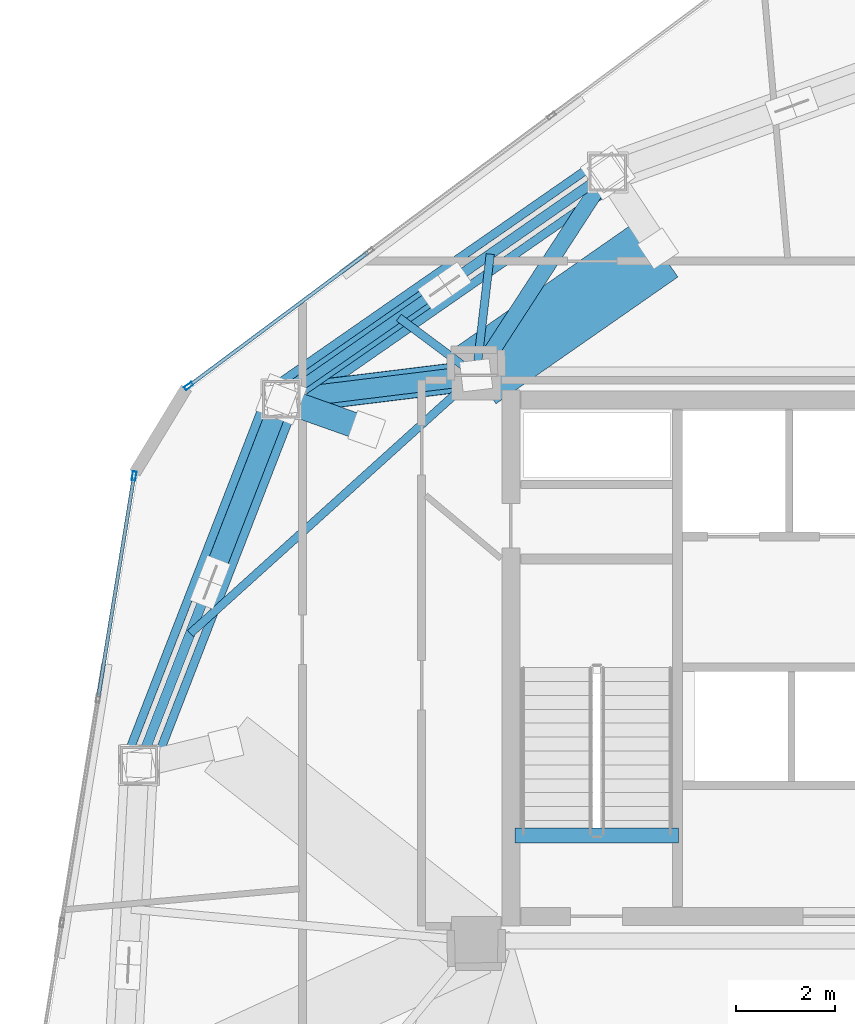
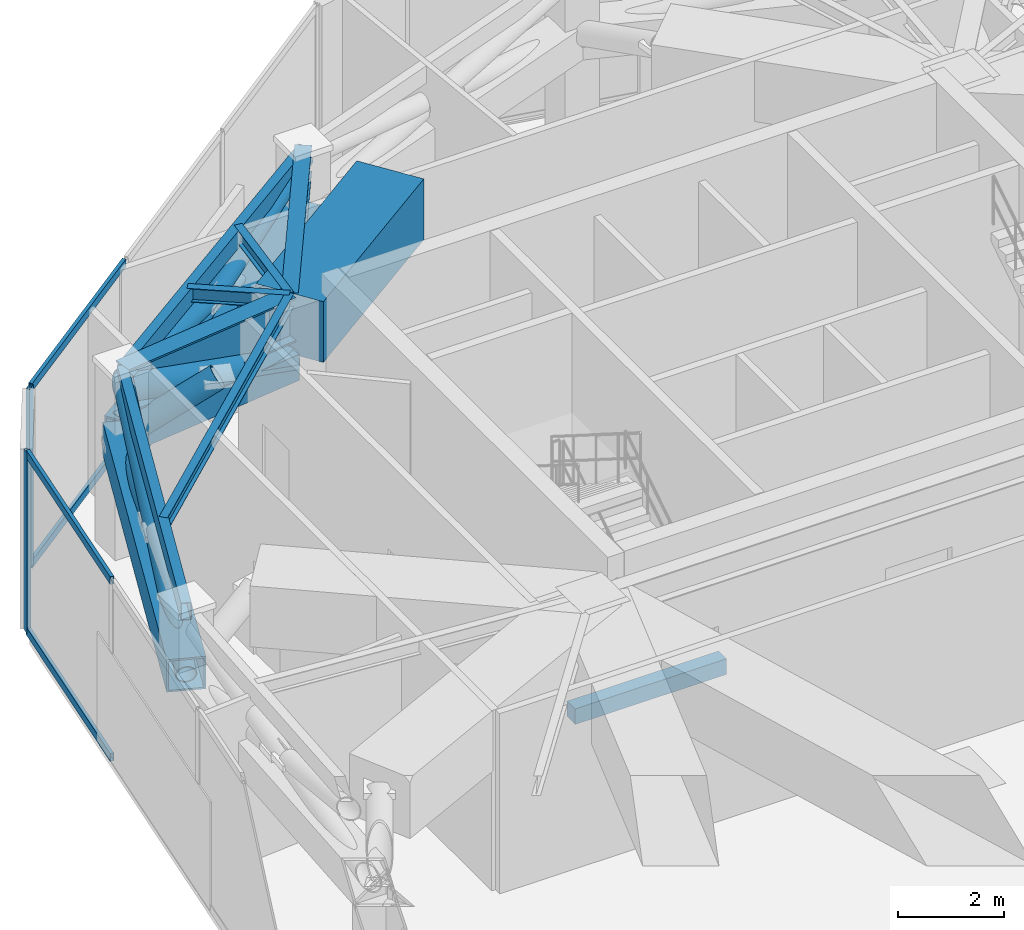
# One storey, part 7 of 19: 15 members, 9 beams, 2 elements without a shape of their own.
"""IFC4 building model written with IfcOpenShell, lengths in metres."""

from ifc_helpers import new_model, si_unit, direction, frame, origin, origin_2d, place, context, subcontext, project, spatial, rectangle, hollow_rectangle, hollow_circle, i_section, extrude, source, transform, mapped, material, layer, layer_set, material_profile, profile_set, type_object, type_shapes, element, aggregate, save


model = new_model("IFC4")

# Units and contexts
model_context = context("Model", 3, precision=1e-05, world=origin(), true_north=direction((0.0, 1.0)))
body_context = subcontext(model_context, "Body", "Model", "MODEL_VIEW")
ifc_project = project(units=[si_unit("LENGTHUNIT", "METRE"), si_unit("AREAUNIT", "SQUARE_METRE"), si_unit("VOLUMEUNIT", "CUBIC_METRE"), si_unit("PLANEANGLEUNIT", "RADIAN"), si_unit("MASSUNIT", "GRAM", prefix="KILO")], contexts=[model_context])

# Site, building, storey
site_placement = place(None, origin())
site = spatial("IfcSite", under=ifc_project, at=site_placement, CompositionType="ELEMENT")
building_placement = place(site_placement, origin())
building = spatial("IfcBuilding", under=site, at=building_placement, Name="Talar Marvaseh", CompositionType="ELEMENT")
storey_placement = place(building_placement, frame((0.0, 0.0, 236.199951171875)))
storey = spatial("IfcBuildingStorey", under=building, at=storey_placement, Name="L62", CompositionType="ELEMENT", Elevation=236.199951171875)

# Beams
ifc_material_1 = material(Name="Concrete C40/50", Category="concrete")
ifc_material_profile_1 = material_profile(ifc_material_1, rectangle(XDim=0.300048828125, YDim=0.360107421875, at=origin_2d()), Name="RC300x360")
ifc_profile_set_1 = profile_set([ifc_material_profile_1], Name="Concrete C40/50")
beam_type_1 = type_object("IfcBeamType", Name="Concrete Stair Landing Trimmer Beam RC300x360", PredefinedType="SPANDREL", material=ifc_profile_set_1)
beam_1_placement = place(storey_placement, frame((22.780029296875, 27.6298828125, -0.179931640625), z_axis=(-1.0, 0.0, 0.0), x_axis=(0.0, -1.0, 0.0)))
element("IfcBeam", 1, at=beam_1_placement, inside=storey, type_object=beam_type_1, Name="L62 ST-1 Stair Nosing Trimmer Beam", PredefinedType="SPANDREL", context=body_context, shape_type="SweptSolid", body=[
    extrude(rectangle(XDim=0.300048828125, YDim=0.360107421875, at=origin_2d()), origin(), (0.0, 0.0, 1.0), 3.300048828125),
])
ifc_material_2 = material(Name="Steel S460", Category="steel")
ifc_material_profile_2 = material_profile(ifc_material_2, i_section(OverallWidth=0.39990234375, OverallDepth=1.02099609375, WebThickness=0.02294921875, FlangeThickness=0.0390625, at=origin_2d()), Name="W1000x412")
ifc_profile_set_2 = profile_set([ifc_material_profile_2], Name="Steel S460")
beam_type_2 = type_object("IfcBeamType", Name="Heavy Outrigger Tie Girder W1000x412", PredefinedType="BEAM", material=ifc_profile_set_2)
beam_2_placement = place(storey_placement, frame((18.699951171875, 36.89990234375, 3.6396484375), z_axis=(-0.99249373738, -0.122295467049, 0.0), x_axis=(0.122295467049, -0.99249373738, 0.0)))
element("IfcBeam", 2, at=beam_2_placement, inside=storey, type_object=beam_type_2, Name="L62 Heavy Outrigger Tie Girder W1000x412", PredefinedType="BEAM", context=body_context, shape_type="SweptSolid", body=[
    extrude(i_section(OverallWidth=0.39990234375, OverallDepth=1.02099609375, WebThickness=0.02294921875, FlangeThickness=0.0390625, at=origin_2d()), origin(), (0.0, 0.0, 1.0), 3.956787109375),
])
ifc_material_3 = material(Name="Concrete C70/85", Category="concrete")
ifc_material_profile_3 = material_profile(ifc_material_3, rectangle(XDim=1.39990234375, YDim=1.39990234375, at=origin_2d()), Name="RC1400x1400")
ifc_profile_set_3 = profile_set([ifc_material_profile_3], Name="Concrete C70/85")
beam_type_3 = type_object("IfcBeamType", Name="Setback Deep Concrete Transfer Girder RC1400x1400", PredefinedType="BEAM", material=ifc_profile_set_3)
beam_3_placement = place(storey_placement, frame((22.364990234375, 39.4541015625, 3.449951171875), z_axis=(-0.820421472158, -0.57175922207, 0.0), x_axis=(0.57175922207, -0.820421472158, 0.0)))
element("IfcBeam", 3, at=beam_3_placement, inside=storey, type_object=beam_type_3, Name="L62 Setback Backspan Transfer Girder 4", PredefinedType="BEAM", context=body_context, shape_type="SweptSolid", body=[
    extrude(rectangle(XDim=1.39990234375, YDim=1.39990234375, at=origin_2d()), origin(), (0.0, 0.0, 1.0), 4.46728515625),
])
ifc_material_4 = material(Name="Steel S355", Category="steel")
ifc_material_profile_4 = material_profile(ifc_material_4, hollow_rectangle(XDim=0.199951171875, YDim=0.39990234375, WallThickness=0.013916015625, at=origin_2d()), Name="RHS400x200x14")
ifc_profile_set_4 = profile_set([ifc_material_profile_4], Name="Steel S355")
beam_type_4 = type_object("IfcBeamType", Name="Zone 3 Perimeter Spandrel Beam RHS400x200x14", PredefinedType="SPANDREL", material=ifc_profile_set_4)
beam_4_placement = place(storey_placement, frame((11.908935546875, 29.044921875, 3.949951171875), z_axis=(0.362169134611, 0.932112395548, 0.0), x_axis=(-0.932112395548, 0.362169134611, 0.0)))
element("IfcBeam", 4, at=beam_4_placement, inside=storey, type_object=beam_type_4, Name="L62 Zone 3 Perimeter Spandrel Beam RHS400x200x14", PredefinedType="SPANDREL", context=body_context, shape_type="SweptSolid", body=[
    extrude(hollow_rectangle(XDim=0.199951171875, YDim=0.39990234375, WallThickness=0.013916015625, at=origin_2d()), origin(), (0.0, 0.0, 1.0), 7.907958984375),
])
beam_5_placement = place(storey_placement, frame((14.77294921875, 36.416015625, 3.949951171875), z_axis=(0.821296978901, 0.570500896098, 0.0), x_axis=(-0.570500896098, 0.821296978901, 0.0)))
element("IfcBeam", 5, at=beam_5_placement, inside=storey, type_object=beam_type_4, Name="L62 Zone 3 Perimeter Spandrel Beam RHS400x200x14", PredefinedType="SPANDREL", context=body_context, shape_type="SweptSolid", body=[
    extrude(hollow_rectangle(XDim=0.199951171875, YDim=0.39990234375, WallThickness=0.013916015625, at=origin_2d()), origin(), (0.0, 0.0, 1.0), 8.0107421875),
])
ifc_material_profile_5 = material_profile(ifc_material_4, i_section(OverallWidth=0.324951171875, OverallDepth=0.615966796875, WebThickness=0.013916015625, FlangeThickness=0.021484375, at=origin_2d()), Name="W610x174")
ifc_profile_set_5 = profile_set([ifc_material_profile_5], Name="Steel S355")
beam_type_5 = type_object("IfcBeamType", Name="Zone 3 Radial Floor Girder W610x174", PredefinedType="BEAM", material=ifc_profile_set_5)
beam_6_placement = place(storey_placement, frame((21.35205078125, 40.986083984375, 3.842041015625), z_axis=(-0.544422757063, -0.838810980849, 0.0), x_axis=(0.838810980849, -0.544422757063, 0.0)))
element("IfcBeam", 6, at=beam_6_placement, inside=storey, type_object=beam_type_5, Name="L62 Zone 3 Radial Floor Girder W610x174", PredefinedType="BEAM", context=body_context, shape_type="SweptSolid", body=[
    extrude(i_section(OverallWidth=0.324951171875, OverallDepth=0.615966796875, WebThickness=0.013916015625, FlangeThickness=0.021484375, at=origin_2d()), origin(), (0.0, 0.0, 1.0), 4.871337890625),
])
ifc_material_profile_6 = material_profile(ifc_material_4, i_section(OverallWidth=0.166015625, OverallDepth=0.31298828125, WebThickness=0.006591796875, FlangeThickness=0.01123046875, at=origin_2d()), Name="W310x45")
ifc_profile_set_6 = profile_set([ifc_material_profile_6], Name="Steel S355")
beam_type_6 = type_object("IfcBeamType", Name="Zone 3 Secondary Floor Joist W310x45", PredefinedType="JOIST", material=ifc_profile_set_6)
beam_7_placement = place(storey_placement, frame((12.93994140625, 31.698486328125, 3.99365234375), z_axis=(0.74217784775, 0.670202985899, 0.0), x_axis=(-0.670202985899, 0.74217784775, 0.0)))
element("IfcBeam", 7, at=beam_7_placement, inside=storey, type_object=beam_type_6, Name="L62 Zone 3 Secondary Floor Joist W310x45", PredefinedType="JOIST", context=body_context, shape_type="SweptSolid", body=[
    extrude(i_section(OverallWidth=0.166015625, OverallDepth=0.31298828125, WebThickness=0.006591796875, FlangeThickness=0.01123046875, at=origin_2d()), origin(), (0.0, 0.0, 1.0), 7.760986328125),
])
beam_8_placement = place(storey_placement, frame((17.141357421875, 38.061279296875, 3.99365234375), z_axis=(0.801865127607, -0.597505077072, 0.0), x_axis=(0.597505077072, 0.801865127607, 0.0)))
element("IfcBeam", 8, at=beam_8_placement, inside=storey, type_object=beam_type_6, Name="L62 Zone 3 Secondary Floor Joist W310x45", PredefinedType="JOIST", context=body_context, shape_type="SweptSolid", body=[
    extrude(i_section(OverallWidth=0.166015625, OverallDepth=0.31298828125, WebThickness=0.006591796875, FlangeThickness=0.01123046875, at=origin_2d()), origin(), (0.0, 0.0, 1.0), 1.943603515625),
])
beam_9_placement = place(storey_placement, frame((18.983642578125, 39.3408203125, 3.99365234375), z_axis=(-0.115446145895, -0.993313740667, 0.0), x_axis=(0.993313740667, -0.115446145895, 0.0)))
element("IfcBeam", 9, at=beam_9_placement, inside=storey, type_object=beam_type_6, Name="L62 Zone 3 Secondary Floor Joist W310x45", PredefinedType="JOIST", context=body_context, shape_type="SweptSolid", body=[
    extrude(i_section(OverallWidth=0.166015625, OverallDepth=0.31298828125, WebThickness=0.006591796875, FlangeThickness=0.01123046875, at=origin_2d()), origin(), (0.0, 0.0, 1.0), 2.457275390625),
])

# Members
ifc_material_profile_7 = material_profile(ifc_material_2, hollow_rectangle(XDim=0.60009765625, YDim=0.60009765625, WallThickness=0.031982421875, at=origin_2d()), Name="BOX600x600x32")
ifc_profile_set_7 = profile_set([ifc_material_profile_7], Name="Steel S460")
member_type_1 = type_object("IfcMemberType", Name="Outrigger Chord Member BOX600x600x32", PredefinedType="CHORD", material=ifc_profile_set_7)
shared_shape_1 = source(origin(), body_context, "Body", "SweptSolid", [
    extrude(hollow_rectangle(XDim=0.60009765625, YDim=0.60009765625, WallThickness=0.031982421875, at=origin_2d()), origin(), (0.0, 0.0, 1.0), 3.956787109375),
])
type_shapes(member_type_1, [shared_shape_1])
member_1_placement = place(storey_placement, frame((18.699951171875, 36.89990234375, 2.60009765625), z_axis=(-0.99249373738, -0.122295467049, 0.0), x_axis=(0.122295467049, -0.99249373738, 0.0)))
element("IfcMember", 10, at=member_1_placement, inside=storey, type_object=member_type_1, Name="L62 Outrigger Upper Tie Chord 1", PredefinedType="CHORD", context=body_context, shape_type="MappedRepresentation", body=[
    mapped(shared_shape_1, transform((0.0, 0.0, 0.0), x_axis=(1.0, 0.0, 0.0), y_axis=(0.0, 1.0, 0.0), z_axis=(0.0, 0.0, 1.0), scale=1.0)),
])
ifc_material_profile_8 = material_profile(ifc_material_2, hollow_circle(Radius=0.304931640625, WallThickness=0.02490234375, at=origin_2d()), Name="CHS610x25")
ifc_profile_set_8 = profile_set([ifc_material_profile_8], Name="Steel S460")
member_type_2 = type_object("IfcMemberType", Name="Outrigger Diagonal Brace CHS610x25", PredefinedType="BRACE", material=ifc_profile_set_8)
shared_shape_2 = source(origin(), body_context, "Body", "SweptSolid", [
    extrude(hollow_circle(Radius=0.304931640625, WallThickness=0.02490234375, at=origin_2d()), origin(), (0.0, 0.0, 1.0), 4.09375),
])
type_shapes(member_type_2, [shared_shape_2])
member_2_placement = place(storey_placement, frame((18.699951171875, 36.89990234375, 2.60009765625), z_axis=(-0.95928756768, -0.118203789813, 0.256505802213), x_axis=(0.122295467049, -0.99249373738, 0.0)))
element("IfcMember", 11, at=member_2_placement, inside=storey, type_object=member_type_2, Name="L62 Outrigger Diagonal Brace 1", PredefinedType="BRACE", context=body_context, shape_type="MappedRepresentation", body=[
    mapped(shared_shape_2, transform((0.0, 0.0, 0.0), x_axis=(1.0, 0.0, 0.0), y_axis=(0.0, 1.0, 0.0), z_axis=(0.0, 0.0, 1.0), scale=1.0)),
])
ifc_material_profile_9 = material_profile(ifc_material_2, hollow_circle(Radius=0.25390625, WallThickness=0.02001953125, at=origin_2d()), Name="CHS508x20")
ifc_profile_set_9 = profile_set([ifc_material_profile_9], Name="Steel S460")
member_type_3 = type_object("IfcMemberType", Name="Crown Frame Diagonal Brace CHS508x20", PredefinedType="BRACE", material=ifc_profile_set_9)
shared_shape_3 = source(origin(), body_context, "Body", "SweptSolid", [
    extrude(hollow_circle(Radius=0.25390625, WallThickness=0.02001953125, at=origin_2d()), origin(), (0.0, 0.0, 1.0), 2.13134765625),
])
type_shapes(member_type_3, [shared_shape_3])
member_3_placement = place(storey_placement, frame((14.77294921875, 36.416015625, 2.550048828125), z_axis=(0.80742142471, -0.285787552086, 0.51613575539), x_axis=(0.333666417228, 0.942691212441, 0.0)))
element("IfcMember", 12, at=member_3_placement, inside=storey, type_object=member_type_3, Name="L62 Setback Transfer Raked Strut 3", PredefinedType="BRACE", context=body_context, shape_type="MappedRepresentation", body=[
    mapped(shared_shape_3, transform((0.0, 0.0, 0.0), x_axis=(1.0, 0.0, 0.0), y_axis=(0.0, 1.0, 0.0), z_axis=(0.0, 0.0, 1.0), scale=1.0)),
])
ifc_material_profile_10 = material_profile(ifc_material_2, hollow_rectangle(XDim=0.75, YDim=0.75, WallThickness=0.0400390625, at=origin_2d()), Name="BOX750x750x40")
ifc_profile_set_10 = profile_set([ifc_material_profile_10], Name="Steel S460")
member_type_4 = type_object("IfcMemberType", Name="Belt Truss Chord Member BOX750x750x40", PredefinedType="CHORD", material=ifc_profile_set_10)
shared_shape_4 = source(origin(), body_context, "Body", "SweptSolid", [
    extrude(hollow_rectangle(XDim=0.75, YDim=0.75, WallThickness=0.0400390625, at=origin_2d()), origin(), (0.0, 0.0, 1.0), 7.907958984375),
])
member_4_placement = place(storey_placement, frame((11.908935546875, 29.044921875, 2.5), z_axis=(0.362169134611, 0.932112395548, 0.0), x_axis=(-0.932112395548, 0.362169134611, 0.0)))
element("IfcMember", 13, at=member_4_placement, inside=storey, type_object=member_type_4, Name="L62 Belt Truss Bottom Chord 10", PredefinedType="CHORD", context=body_context, shape_type="MappedRepresentation", body=[
    mapped(shared_shape_4, transform((0.0, 0.0, 0.0), x_axis=(1.0, 0.0, 0.0), y_axis=(0.0, 1.0, 0.0), z_axis=(0.0, 0.0, 1.0), scale=1.0)),
])
ifc_material_profile_11 = material_profile(ifc_material_2, hollow_circle(Radius=0.203125, WallThickness=0.01611328125, at=origin_2d()), Name="CHS406x16")
ifc_profile_set_11 = profile_set([ifc_material_profile_11], Name="Steel S460")
member_type_5 = type_object("IfcMemberType", Name="Belt Truss Diagonal Brace CHS406x16", PredefinedType="BRACE", material=ifc_profile_set_11)
shared_shape_5 = source(origin(), body_context, "Body", "SweptSolid", [
    extrude(hollow_circle(Radius=0.203125, WallThickness=0.01611328125, at=origin_2d()), origin(), (0.0, 0.0, 1.0), 8.0224609375),
])
member_5_placement = place(storey_placement, frame((11.908935546875, 29.044921875, 2.5), z_axis=(0.357003602735, 0.918817899053, 0.168291699184), x_axis=(-0.932112395548, 0.362169134611, 0.0)))
element("IfcMember", 14, at=member_5_placement, inside=storey, type_object=member_type_5, Name="L62 Belt Truss Continuous Diagonal 10", PredefinedType="BRACE", context=body_context, shape_type="MappedRepresentation", body=[
    mapped(shared_shape_5, transform((0.0, 0.0, 0.0), x_axis=(1.0, 0.0, 0.0), y_axis=(0.0, 1.0, 0.0), z_axis=(0.0, 0.0, 1.0), scale=1.0)),
])
shared_shape_6 = source(origin(), body_context, "Body", "SweptSolid", [
    extrude(hollow_circle(Radius=0.203125, WallThickness=0.01611328125, at=origin_2d()), origin(), (0.0, 0.0, 1.0), 3.771240234375),
])
member_6_placement = place(storey_placement, frame((14.77294921875, 36.416015625, 2.5), z_axis=(-0.356965781331, -0.918827590575, 0.168319011872), x_axis=(0.932126637069, -0.362132479166, 0.0)))
element("IfcMember", 15, at=member_6_placement, inside=storey, type_object=member_type_5, Name="L62 Belt Truss Split Diagonal Lower 10", PredefinedType="BRACE", context=body_context, shape_type="MappedRepresentation", body=[
    mapped(shared_shape_6, transform((0.0, 0.0, 0.0), x_axis=(1.0, 0.0, 0.0), y_axis=(0.0, 1.0, 0.0), z_axis=(0.0, 0.0, 1.0), scale=1.0)),
])
shared_shape_7 = source(origin(), body_context, "Body", "SweptSolid", [
    extrude(hollow_rectangle(XDim=0.75, YDim=0.75, WallThickness=0.0400390625, at=origin_2d()), origin(), (0.0, 0.0, 1.0), 8.0107421875),
])
type_shapes(member_type_4, [shared_shape_4, shared_shape_7])
member_7_placement = place(storey_placement, frame((14.77294921875, 36.416015625, 2.5), z_axis=(0.821296978901, 0.570500896098, 0.0), x_axis=(-0.570500896098, 0.821296978901, 0.0)))
element("IfcMember", 16, at=member_7_placement, inside=storey, type_object=member_type_4, Name="L62 Belt Truss Bottom Chord 11", PredefinedType="CHORD", context=body_context, shape_type="MappedRepresentation", body=[
    mapped(shared_shape_7, transform((0.0, 0.0, 0.0), x_axis=(1.0, 0.0, 0.0), y_axis=(0.0, 1.0, 0.0), z_axis=(0.0, 0.0, 1.0), scale=1.0)),
])
shared_shape_8 = source(origin(), body_context, "Body", "SweptSolid", [
    extrude(hollow_circle(Radius=0.203125, WallThickness=0.01611328125, at=origin_2d()), origin(), (0.0, 0.0, 1.0), 8.12353515625),
])
member_8_placement = place(storey_placement, frame((14.77294921875, 36.416015625, 2.5), z_axis=(0.809875192745, 0.562566933835, 0.166194515952), x_axis=(-0.570500896098, 0.821296978901, 0.0)))
element("IfcMember", 17, at=member_8_placement, inside=storey, type_object=member_type_5, Name="L62 Belt Truss Continuous Diagonal 11", PredefinedType="BRACE", context=body_context, shape_type="MappedRepresentation", body=[
    mapped(shared_shape_8, transform((0.0, 0.0, 0.0), x_axis=(1.0, 0.0, 0.0), y_axis=(0.0, 1.0, 0.0), z_axis=(0.0, 0.0, 1.0), scale=1.0)),
])
shared_shape_9 = source(origin(), body_context, "Body", "SweptSolid", [
    extrude(hollow_circle(Radius=0.203125, WallThickness=0.01611328125, at=origin_2d()), origin(), (0.0, 0.0, 1.0), 3.82177734375),
])
type_shapes(member_type_5, [shared_shape_5, shared_shape_6, shared_shape_8, shared_shape_9])
member_9_placement = place(storey_placement, frame((17.8681640625, 38.56591796875, 3.21484375), z_axis=(-0.809888833081, -0.562539916715, 0.166219493901), x_axis=(0.570475933566, -0.821314318164, 0.0)))
element("IfcMember", 18, at=member_9_placement, inside=storey, type_object=member_type_5, Name="L62 Belt Truss Split Diagonal Upper 11", PredefinedType="BRACE", context=body_context, shape_type="MappedRepresentation", body=[
    mapped(shared_shape_9, transform((0.0, 0.0, 0.0), x_axis=(1.0, 0.0, 0.0), y_axis=(0.0, 1.0, 0.0), z_axis=(0.0, 0.0, 1.0), scale=1.0)),
])

# Curtain wall, member
ifc_material_5 = material(Name="Architectural Aluminium", Category="aluminium")
ifc_layer = layer(ifc_material_5, 0.18994140625)
ifc_layer_set = layer_set([ifc_layer], Name="Architectural Aluminium")
curtain_wall_type = type_object("IfcCurtainWallType", Name="Unitised Solar Atelier Curtain Wall Z3", PredefinedType="NOTDEFINED", material=ifc_layer_set)
curtain_wall_1_placement = place(storey_placement, origin())
curtain_wall_1 = element("IfcCurtainWall", 19, at=curtain_wall_1_placement, inside=storey, type_object=curtain_wall_type, Name="L62 Unitised Solar Atelier Curtain Wall Z3", PredefinedType="NOTDEFINED")
ifc_material_profile_12 = material_profile(ifc_material_5, hollow_rectangle(XDim=0.074951171875, YDim=0.179931640625, WallThickness=0.0048828125, at=origin_2d()), Name="RHS180x75x5")
ifc_profile_set_12 = profile_set([ifc_material_profile_12], Name="Architectural Aluminium")
member_type_6 = type_object("IfcMemberType", Name="Unitised Curtain Wall Standard Mullion RHS180x75x5", PredefinedType="MULLION", material=ifc_profile_set_12)
shared_shape_10 = source(origin(), body_context, "Body", "SweptSolid", [
    extrude(hollow_rectangle(XDim=0.074951171875, YDim=0.179931640625, WallThickness=0.0048828125, at=origin_2d()), origin(), (0.0, 0.0, 1.0), 4.150146484375),
])
type_shapes(member_type_6, [shared_shape_10])
member_10_placement = place(storey_placement, frame((11.809326171875, 34.87255859375, 0.0), z_axis=(0.0, 0.0, 1.0), x_axis=(-0.987186333682, 0.159571747475, 0.0)))
member_10 = element("IfcMember", 20, at=member_10_placement, type_object=member_type_6, Name="CW-Z3 mullion 4", PredefinedType="MULLION", context=body_context, shape_type="MappedRepresentation", body=[
    mapped(shared_shape_10, transform((0.0, 0.0, 0.0), x_axis=(1.0, 0.0, 0.0), y_axis=(0.0, 1.0, 0.0), z_axis=(0.0, 0.0, 1.0), scale=1.0)),
])

curtain_wall_2_placement = place(storey_placement, origin())
curtain_wall_2 = element("IfcCurtainWall", 21, at=curtain_wall_2_placement, inside=storey, type_object=curtain_wall_type, Name="L62 Unitised Solar Atelier Curtain Wall Z3", PredefinedType="NOTDEFINED")
member_11_placement = place(storey_placement, frame((12.907958984375, 36.68310546875, 0.0), z_axis=(0.0, 0.0, 1.0), x_axis=(-0.597376277836, 0.801961085514, 0.0)))
member_11 = element("IfcMember", 22, at=member_11_placement, type_object=member_type_6, Name="CW-Z3 mullion 1", PredefinedType="MULLION", context=body_context, shape_type="MappedRepresentation", body=[
    mapped(shared_shape_10, transform((0.0, 0.0, 0.0), x_axis=(1.0, 0.0, 0.0), y_axis=(0.0, 1.0, 0.0), z_axis=(0.0, 0.0, 1.0), scale=1.0)),
])

# Member
ifc_material_profile_13 = material_profile(ifc_material_5, hollow_rectangle(XDim=0.074951171875, YDim=0.179931640625, WallThickness=0.0048828125, at=origin_2d()), Name="RHS180x75x5")
ifc_profile_set_13 = profile_set([ifc_material_profile_13], Name="Architectural Aluminium")
member_type_7 = type_object("IfcMemberType", Name="Unitised Curtain Wall Transom RHS180x75x5", PredefinedType="USERDEFINED", material=ifc_profile_set_13)
shared_shape_11 = source(origin(), body_context, "Body", "SweptSolid", [
    extrude(hollow_rectangle(XDim=0.074951171875, YDim=0.179931640625, WallThickness=0.0048828125, at=origin_2d()), origin(), (0.0, 0.0, 1.0), 4.464599609375),
])
type_shapes(member_type_7, [shared_shape_11])
member_12_placement = place(storey_placement, frame((11.0908203125, 30.42822265625, 0.03759765625), z_axis=(0.159564242049, 0.987187546852, 0.0), x_axis=(-0.987187546852, 0.159564242049, 0.0)))
member_12 = element("IfcMember", 23, at=member_12_placement, type_object=member_type_7, Name="CW-Z3 transom 3.1", ObjectType="TRANSOM", PredefinedType="USERDEFINED", context=body_context, shape_type="MappedRepresentation", body=[
    mapped(shared_shape_11, transform((0.0, 0.0, 0.0), x_axis=(1.0, 0.0, 0.0), y_axis=(0.0, 1.0, 0.0), z_axis=(0.0, 0.0, 1.0), scale=1.0)),
])

member_13_placement = place(storey_placement, frame((11.0908203125, 30.42822265625, 4.112548828125), z_axis=(0.159564242049, 0.987187546852, 0.0), x_axis=(-0.987187546852, 0.159564242049, 0.0)))
member_13 = element("IfcMember", 24, at=member_13_placement, type_object=member_type_7, Name="CW-Z3 transom 3.2", ObjectType="TRANSOM", PredefinedType="USERDEFINED", context=body_context, shape_type="MappedRepresentation", body=[
    mapped(shared_shape_11, transform((0.0, 0.0, 0.0), x_axis=(1.0, 0.0, 0.0), y_axis=(0.0, 1.0, 0.0), z_axis=(0.0, 0.0, 1.0), scale=1.0)),
])

aggregate(curtain_wall_1, [member_10, member_12, member_13])

member_14_placement = place(storey_placement, frame((12.93798828125, 36.70556640625, 0.03759765625), z_axis=(0.801977339668, 0.597354456466, 0.0), x_axis=(-0.597354456466, 0.801977339668, 0.0)))
member_14 = element("IfcMember", 25, at=member_14_placement, type_object=member_type_7, Name="CW-Z3 transom 1.1", ObjectType="TRANSOM", PredefinedType="USERDEFINED", context=body_context, shape_type="MappedRepresentation", body=[
    mapped(shared_shape_11, transform((0.0, 0.0, 0.0), x_axis=(1.0, 0.0, 0.0), y_axis=(0.0, 1.0, 0.0), z_axis=(0.0, 0.0, 1.0), scale=1.0)),
])

member_15_placement = place(storey_placement, frame((12.93798828125, 36.70556640625, 4.112548828125), z_axis=(0.801977339668, 0.597354456466, 0.0), x_axis=(-0.597354456466, 0.801977339668, 0.0)))
member_15 = element("IfcMember", 26, at=member_15_placement, type_object=member_type_7, Name="CW-Z3 transom 1.2", ObjectType="TRANSOM", PredefinedType="USERDEFINED", context=body_context, shape_type="MappedRepresentation", body=[
    mapped(shared_shape_11, transform((0.0, 0.0, 0.0), x_axis=(1.0, 0.0, 0.0), y_axis=(0.0, 1.0, 0.0), z_axis=(0.0, 0.0, 1.0), scale=1.0)),
])

aggregate(curtain_wall_2, [member_11, member_14, member_15])

save(model, "model.ifc")
